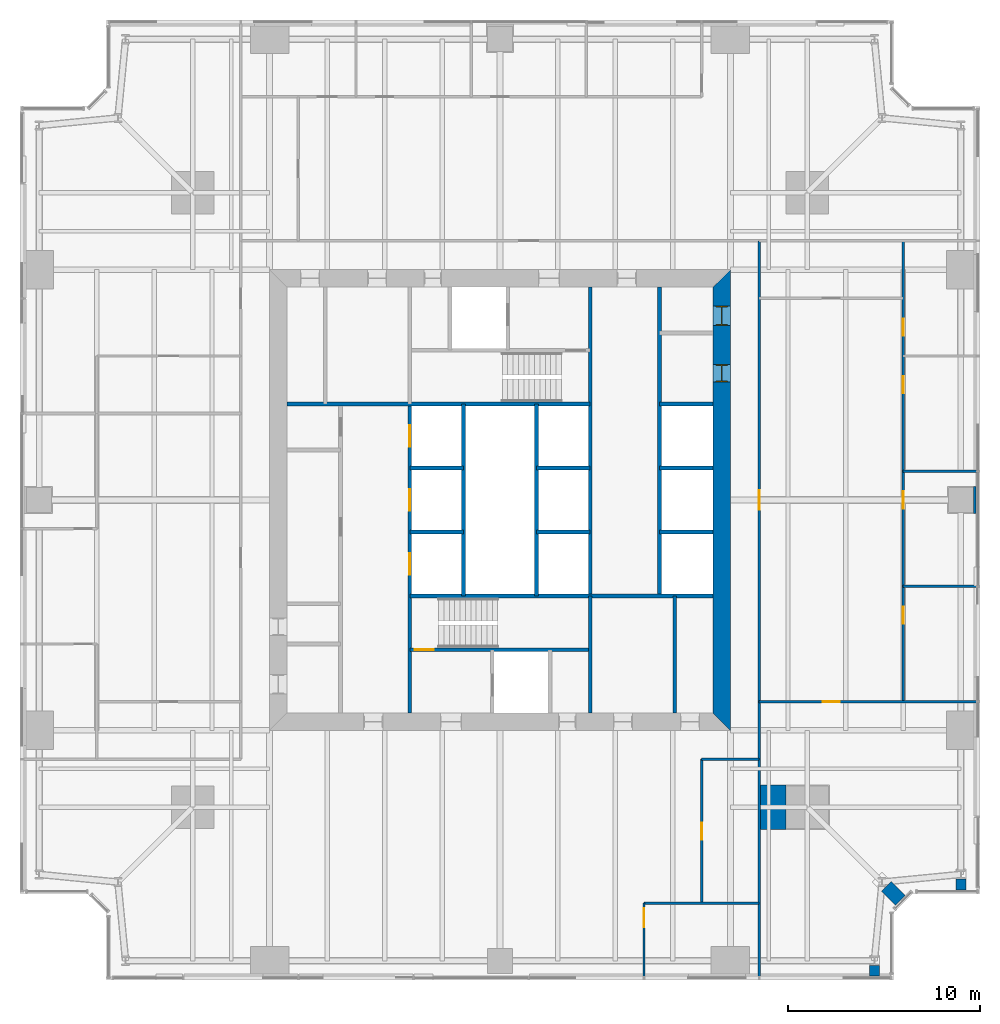
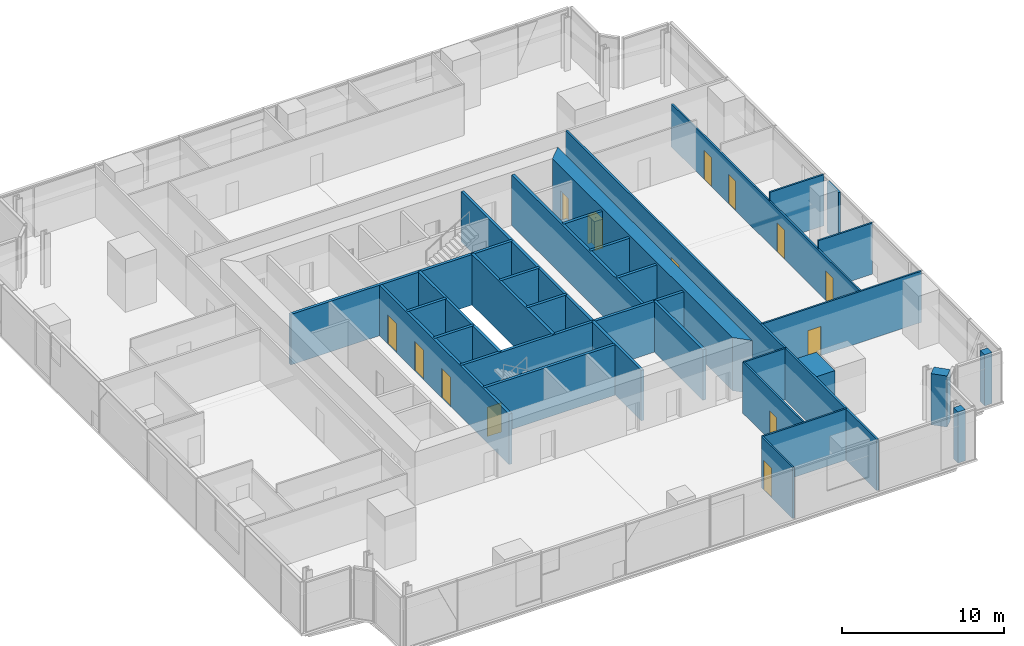
# One storey, part 10 of 14: 33 walls, 14 doors, 14 openings.
"""IFC4 building model written with IfcOpenShell, lengths in metres."""

from ifc_helpers import new_model, si_unit, direction, frame, frame_2d, origin, place, context, subcontext, project, spatial, polyline, rectangle, outline, extrude, material, layer, layer_set, type_object, element, fill, save


model = new_model("IFC4")

# Units and contexts
model_context = context("Model", 3, precision=1e-05, world=origin(), true_north=direction((0.0, 1.0)))
body_context = subcontext(model_context, "Body", "Model", "MODEL_VIEW")
ifc_project = project(units=[si_unit("LENGTHUNIT", "METRE"), si_unit("AREAUNIT", "SQUARE_METRE"), si_unit("VOLUMEUNIT", "CUBIC_METRE"), si_unit("PLANEANGLEUNIT", "RADIAN"), si_unit("MASSUNIT", "GRAM", prefix="KILO")], contexts=[model_context])

# Site, building, storey
site_placement = place(None, origin())
site = spatial("IfcSite", under=ifc_project, at=site_placement, CompositionType="ELEMENT")
building_placement = place(site_placement, origin())
building = spatial("IfcBuilding", under=site, at=building_placement, Name="Fenwick Lantern Interchange", CompositionType="ELEMENT")
storey_placement = place(building_placement, frame((0.0, 0.0, 134.39990234375)))
storey = spatial("IfcBuildingStorey", under=building, at=storey_placement, Name="L31", CompositionType="ELEMENT", Elevation=134.39990234375)

# Walls
ifc_material_1 = material(Name="Fire-rated gypsum board encasement on steel studs, 2 hour", Category="steel")
ifc_layer_1 = layer(ifc_material_1, 1.39990234375)
ifc_layer_set_1 = layer_set([ifc_layer_1], Name="COLUMN PIER 1400")
wall_type_1 = type_object("IfcWallType", Name="COLUMN PIER 1400", PredefinedType="PARTITIONING", material=ifc_layer_set_1)
wall_1_placement = place(storey_placement, frame((49.800048828125, 25.0, 0.0), z_axis=(0.0, 0.0, 1.0), x_axis=(-1.0, 0.0, 0.0)))
element("IfcWall", 1, at=wall_1_placement, inside=storey, type_object=wall_type_1, Name="L31/W/PIER/CE3", PredefinedType="PARTITIONING", context=body_context, shape_type="SweptSolid", body=[
    extrude(rectangle(XDim=0.150146484375, YDim=1.39990234375, at=frame_2d((0.0751953125, 0.0))), origin(), (0.0, 0.0, 1.0), 3.85009765625),
])
ifc_layer_2 = layer(ifc_material_1, 2.300048828125)
ifc_layer_set_2 = layer_set([ifc_layer_2], Name="COLUMN PIER 2300")
wall_type_2 = type_object("IfcWallType", Name="COLUMN PIER 2300", PredefinedType="PARTITIONING", material=ifc_layer_set_2)
wall_2_placement = place(storey_placement, frame((38.574951171875, 9.0, 0.0), z_axis=(0.0, 0.0, 1.0), x_axis=(1.0, 0.0, 0.0)))
element("IfcWall", 2, at=wall_2_placement, inside=storey, type_object=wall_type_2, Name="L31/W/PIER/M2", PredefinedType="PARTITIONING", context=body_context, shape_type="SweptSolid", body=[
    extrude(rectangle(XDim=1.324951171875, YDim=2.300048828125, at=frame_2d((0.66259765625, 0.0))), origin(), (0.0, 0.0, 1.0), 3.85009765625),
])
ifc_layer_3 = layer(ifc_material_1, 0.52392578125)
ifc_layer_set_3 = layer_set([ifc_layer_3], Name="COLUMN PIER 524")
wall_type_3 = type_object("IfcWallType", Name="COLUMN PIER 524", PredefinedType="PARTITIONING", material=ifc_layer_set_3)
for number, where, z_axis, x_axis, name in (
    (3, (44.5, 0.199951171875, 0.0), (0.0, 0.0, 1.0), (0.0, 1.0, 0.0), "L31/W/PIER/CS5"),
    (4, (49.0, 4.699951171875, 0.0), (0.0, 0.0, 1.0), (0.0, 1.0, 0.0), "L31/W/PIER/CE1"),
):
    element("IfcWall", number, at=place(storey_placement, frame(where, z_axis=z_axis, x_axis=x_axis)), inside=storey, type_object=wall_type_3, Name=name, PredefinedType="PARTITIONING", context=body_context, shape_type="SweptSolid", body=[
        extrude(rectangle(XDim=0.5625, YDim=0.52392578125, at=frame_2d((0.28125, 0.0))), origin(), (0.0, 0.0, 1.0), 3.85009765625),
    ])
ifc_layer_4 = layer(ifc_material_1, 0.736083984375)
ifc_layer_set_4 = layer_set([ifc_layer_4], Name="COLUMN PIER 736")
wall_type_4 = type_object("IfcWallType", Name="COLUMN PIER 736", PredefinedType="PARTITIONING", material=ifc_layer_set_4)
wall_3_placement = place(storey_placement, frame((45.858642578125, 4.141357421875, 0.0), z_axis=(0.0, 0.0, 1.0), x_axis=(-0.707106781187, 0.707106781187, 0.0)))
element("IfcWall", 5, at=wall_3_placement, inside=storey, type_object=wall_type_4, Name="L31/W/PIER/CSR", PredefinedType="PARTITIONING", context=body_context, shape_type="SweptSolid", body=[
    extrude(rectangle(XDim=1.037841796875, YDim=0.736083984375, at=frame_2d((0.51904296875, 0.0))), origin(), (0.0, 0.0, 1.0), 3.85009765625),
])
ifc_material_2 = material(Name="Concrete masonry ASTM C90 Grade N", Category="masonry")
ifc_layer_5 = layer(ifc_material_2, 0.199951171875)
ifc_layer_set_5 = layer_set([ifc_layer_5], Name="Concrete masonry ASTM C90 Grade N")
wall_type_5 = type_object("IfcWallType", Name="CORE PARTITION 200", PredefinedType="PARTITIONING", material=ifc_layer_set_5)
for number, where, z_axis, x_axis, name in (
    (6, (20.300048828125, 23.333251953125, 0.0), (0.0, 0.0, 1.0), (1.0, 0.0, 0.0), "L31/W/CORES/e1"),
    (7, (20.300048828125, 26.666748046875, 0.0), (0.0, 0.0, 1.0), (1.0, 0.0, 0.0), "L31/W/CORES/e2"),
):
    element("IfcWall", number, at=place(storey_placement, frame(where, z_axis=z_axis, x_axis=x_axis)), inside=storey, type_object=wall_type_5, Name=name, PredefinedType="PARTITIONING", context=body_context, shape_type="SweptSolid", body=[
        extrude(rectangle(XDim=2.800048828125, YDim=0.199951171875, at=frame_2d((1.39990234375, 0.0))), origin(), (0.0, 0.0, 1.0), 3.800048828125),
    ])
wall_4_placement = place(storey_placement, frame((23.10009765625, 20.0, 0.0), z_axis=(0.0, 0.0, 1.0), x_axis=(0.0, 1.0, 0.0)))
element("IfcWall", 8, at=wall_4_placement, inside=storey, type_object=wall_type_5, Name="L31/W/CORES/e3", PredefinedType="PARTITIONING", context=body_context, shape_type="SweptSolid", body=[
    extrude(rectangle(XDim=10.0, YDim=0.199951171875, at=frame_2d((5.0, 0.0))), origin(), (0.0, 0.0, 1.0), 3.800048828125),
])
wall_5_placement = place(storey_placement, frame((34.10009765625, 13.89990234375, 0.0), z_axis=(0.0, 0.0, 1.0), x_axis=(0.0, 1.0, 0.0)))
element("IfcWall", 9, at=wall_5_placement, inside=storey, type_object=wall_type_5, Name="L31/W/CORES/i2", PredefinedType="PARTITIONING", context=body_context, shape_type="SweptSolid", body=[
    extrude(rectangle(XDim=6.10009765625, YDim=0.199951171875, at=frame_2d((3.050048828125, 0.0))), origin(), (0.0, 0.0, 1.0), 3.800048828125),
])
wall_6_placement = place(storey_placement, frame((33.300048828125, 36.10009765625, 0.0), z_axis=(0.0, 0.0, 1.0), x_axis=(0.0, -1.0, 0.0)))
element("IfcWall", 10, at=wall_6_placement, inside=storey, type_object=wall_type_5, Name="L31/W/COREN/a", PredefinedType="PARTITIONING", context=body_context, shape_type="SweptSolid", body=[
    extrude(rectangle(XDim=16.10009765625, YDim=0.199951171875, at=frame_2d((8.050048828125, 0.0))), origin(), (0.0, 0.0, 1.0), 3.800048828125),
])
for number, where, z_axis, x_axis, name in (
    (11, (36.10009765625, 30.0, 0.0), (0.0, 0.0, 1.0), (-1.0, 0.0, 0.0), "L31/W/COREN/c2"),
    (12, (36.10009765625, 26.666748046875, 0.0), (0.0, 0.0, 1.0), (-1.0, 0.0, 0.0), "L31/W/COREN/d1"),
    (13, (36.10009765625, 23.333251953125, 0.0), (0.0, 0.0, 1.0), (-1.0, 0.0, 0.0), "L31/W/COREN/d2"),
    (14, (29.699951171875, 26.666748046875, 0.0), (0.0, 0.0, 1.0), (-1.0, 0.0, 0.0), "L31/W/COREN/e1"),
    (15, (29.699951171875, 23.333251953125, 0.0), (0.0, 0.0, 1.0), (-1.0, 0.0, 0.0), "L31/W/COREN/e2"),
):
    element("IfcWall", number, at=place(storey_placement, frame(where, z_axis=z_axis, x_axis=x_axis)), inside=storey, type_object=wall_type_5, Name=name, PredefinedType="PARTITIONING", context=body_context, shape_type="SweptSolid", body=[
        extrude(rectangle(XDim=2.800048828125, YDim=0.199951171875, at=frame_2d((1.39990234375, 0.0))), origin(), (0.0, 0.0, 1.0), 3.800048828125),
    ])
wall_7_placement = place(storey_placement, frame((26.89990234375, 30.0, 0.0), z_axis=(0.0, 0.0, 1.0), x_axis=(0.0, -1.0, 0.0)))
element("IfcWall", 16, at=wall_7_placement, inside=storey, type_object=wall_type_5, Name="L31/W/COREN/e3", PredefinedType="PARTITIONING", context=body_context, shape_type="SweptSolid", body=[
    extrude(rectangle(XDim=10.0, YDim=0.199951171875, at=frame_2d((5.0, 0.0))), origin(), (0.0, 0.0, 1.0), 3.800048828125),
])

# Wall, openings, doors
ifc_material_3 = material(Name="Concrete f'c 70 MPa", Category="concrete")
ifc_layer_6 = layer(ifc_material_3, 0.89990234375)
ifc_layer_set_6 = layer_set([ifc_layer_6], Name="CORE WALL 900")
wall_type_6 = type_object("IfcWallType", Name="CORE WALL 900", PredefinedType="SHEAR", material=ifc_layer_set_6)
wall_8_placement = place(storey_placement, frame((36.550048828125, 13.89990234375, 0.0), z_axis=(0.0, 0.0, 1.0), x_axis=(0.0, 1.0, 0.0)))
wall_8 = element("IfcWall", 17, at=wall_8_placement, inside=storey, type_object=wall_type_6, Name="L31/CORE/E", PredefinedType="SHEAR", context=body_context, shape_type="SweptSolid", body=[
    extrude(outline(polyline([(-0.89990234375, -0.449951171875), (23.10009765625, -0.449951171875), (22.199951171875, 0.449951171875), (0.0, 0.449951171875), (-0.89990234375, -0.449951171875)])), origin(), (0.0, 0.0, 1.0), 4.0),
])
opening_1_placement = place(wall_8_placement, frame((20.199951171875, 0.0, 0.0)))
opening_1 = element("IfcOpeningElement", 18, at=opening_1_placement, cuts=wall_8, Name="Opening L31-D017", PredefinedType="OPENING", context=body_context, shape_type="SweptSolid", body=[
    extrude(rectangle(XDim=1.0, YDim=2.199951171875, at=frame_2d((0.5, 1.10009765625))), frame((0.0, 0.4599609375, 0.0), z_axis=(0.0, -1.0, 0.0), x_axis=(1.0, 0.0, 0.0)), (0.0, 0.0, 1.0), 0.919921875),
])
opening_2_placement = place(wall_8_placement, frame((17.25, 0.0, 0.0)))
opening_2 = element("IfcOpeningElement", 19, at=opening_2_placement, cuts=wall_8, Name="Opening L31-D018", PredefinedType="OPENING", context=body_context, shape_type="SweptSolid", body=[
    extrude(rectangle(XDim=0.89990234375, YDim=2.199951171875, at=frame_2d((0.449951171875, 1.10009765625))), frame((0.0, 0.4599609375, 0.0), z_axis=(0.0, -1.0, 0.0), x_axis=(1.0, 0.0, 0.0)), (0.0, 0.0, 1.0), 0.919921875),
])
ifc_material_4 = material(Name="Steel door and frame", Category="steel")
door_type_1 = type_object("IfcDoorType", Name="SERVICE DOOR 1000 X 2200", OperationType="SINGLE_SWING_LEFT", PredefinedType="DOOR", material=ifc_material_4)
door_1_placement = place(opening_1_placement, origin())
door_1 = element("IfcDoor", 20, at=door_1_placement, inside=storey, type_object=door_type_1, Name="Service door", OperationType="SINGLE_SWING_LEFT", OverallHeight=2.199951171875, OverallWidth=1.0, PredefinedType="DOOR", context=body_context, shape_type="SweptSolid", body=[
    extrude(rectangle(XDim=1.0, YDim=2.199951171875, at=frame_2d((0.5, 1.10009765625))), frame((0.0, 0.02490234375, 0.0), z_axis=(0.0, -1.0, 0.0), x_axis=(1.0, 0.0, 0.0)), (0.0, 0.0, 1.0), 0.050048828125),
    extrude(outline(polyline([(0.0, 0.0), (0.0400390625, 0.0), (0.0400390625, 2.159912109375), (0.9599609375, 2.159912109375), (0.9599609375, 0.0), (1.0, 0.0), (1.0, 2.199951171875), (0.0, 2.199951171875), (0.0, 0.0)])), frame((0.0, 0.300048828125, 0.0), z_axis=(0.0, -1.0, 0.0), x_axis=(1.0, 0.0, 0.0)), (0.0, 0.0, 1.0), 0.60009765625),
])
fill(opening_1, door_1)
door_type_2 = type_object("IfcDoorType", Name="SERVICE DOOR 900 X 2200", OperationType="SINGLE_SWING_LEFT", PredefinedType="DOOR", material=ifc_material_4)
door_2_placement = place(opening_2_placement, origin())
door_2 = element("IfcDoor", 21, at=door_2_placement, inside=storey, type_object=door_type_2, Name="Service door", OperationType="SINGLE_SWING_LEFT", OverallHeight=2.199951171875, OverallWidth=0.89990234375, PredefinedType="DOOR", context=body_context, shape_type="SweptSolid", body=[
    extrude(rectangle(XDim=0.89990234375, YDim=2.199951171875, at=frame_2d((0.449951171875, 1.10009765625))), frame((0.0, 0.02490234375, 0.0), z_axis=(0.0, -1.0, 0.0), x_axis=(1.0, 0.0, 0.0)), (0.0, 0.0, 1.0), 0.050048828125),
    extrude(outline(polyline([(0.0, 0.0), (0.0400390625, 0.0), (0.0400390625, 2.159912109375), (0.85986328125, 2.159912109375), (0.85986328125, 0.0), (0.89990234375, 0.0), (0.89990234375, 2.199951171875), (0.0, 2.199951171875), (0.0, 0.0)])), frame((0.0, 0.300048828125, 0.0), z_axis=(0.0, -1.0, 0.0), x_axis=(1.0, 0.0, 0.0)), (0.0, 0.0, 1.0), 0.60009765625),
])
fill(opening_2, door_2)

# Wall, opening, door
ifc_material_5 = material(Name="Gypsum board on steel studs, 1 hour", Category="steel")
ifc_layer_7 = layer(ifc_material_5, 0.14990234375)
ifc_layer_set_7 = layer_set([ifc_layer_7], Name="CORRIDOR WALL 150")
wall_type_7 = type_object("IfcWallType", Name="CORRIDOR WALL 150", PredefinedType="PARTITIONING", material=ifc_layer_set_7)
wall_9_placement = place(storey_placement, frame((38.5, 11.5, 0.0), z_axis=(0.0, 0.0, 1.0), x_axis=(0.0, 1.0, 0.0)))
wall_9 = element("IfcWall", 22, at=wall_9_placement, inside=storey, type_object=wall_type_7, Name="L31/W/OFF/E/CW", PredefinedType="PARTITIONING", context=body_context, shape_type="SweptSolid", body=[
    extrude(rectangle(XDim=27.0, YDim=0.14990234375, at=frame_2d((13.5, 0.0))), origin(), (0.0, 0.0, 1.0), 3.85009765625),
])
opening_3_placement = place(wall_9_placement, frame((13.0, 0.0, 0.0)))
opening_3 = element("IfcOpeningElement", 23, at=opening_3_placement, cuts=wall_9, Name="Opening L31-D021", PredefinedType="OPENING", context=body_context, shape_type="SweptSolid", body=[
    extrude(rectangle(XDim=1.0, YDim=2.199951171875, at=frame_2d((0.5, 1.10009765625))), frame((0.0, 0.0849609375, 0.0), z_axis=(0.0, -1.0, 0.0), x_axis=(1.0, 0.0, 0.0)), (0.0, 0.0, 1.0), 0.169921875),
])
door_type_3 = type_object("IfcDoorType", Name="SUITE ENTRANCE DOOR 1000 X 2200", OperationType="SINGLE_SWING_LEFT", PredefinedType="DOOR", material=ifc_material_4)
door_3_placement = place(opening_3_placement, frame((1.0, 0.0, 0.0), z_axis=(0.0, 0.0, 1.0), x_axis=(-1.0, 0.0, 0.0)))
door_3 = element("IfcDoor", 24, at=door_3_placement, inside=storey, type_object=door_type_3, Name="Suite entrance door", OperationType="SINGLE_SWING_RIGHT", OverallHeight=2.199951171875, OverallWidth=1.0, PredefinedType="DOOR", context=body_context, shape_type="SweptSolid", body=[
    extrude(rectangle(XDim=1.0, YDim=2.199951171875, at=frame_2d((0.5, 1.10009765625))), frame((0.0, 0.02490234375, 0.0), z_axis=(0.0, -1.0, 0.0), x_axis=(1.0, 0.0, 0.0)), (0.0, 0.0, 1.0), 0.050048828125),
])
fill(opening_3, door_3)

ifc_material_6 = material(Name="Gypsum board on steel studs, acoustic", Category="steel")
ifc_layer_8 = layer(ifc_material_6, 0.125)
ifc_layer_set_8 = layer_set([ifc_layer_8], Name="OFFICE PARTITION 125")
wall_type_8 = type_object("IfcWallType", Name="OFFICE PARTITION 125", PredefinedType="PARTITIONING", material=ifc_layer_set_8)
wall_10_placement = place(storey_placement, frame((32.5, 0.14990234375, 0.0), z_axis=(0.0, 0.0, 1.0), x_axis=(0.0, 1.0, 0.0)))
wall_10 = element("IfcWall", 25, at=wall_10_placement, inside=storey, type_object=wall_type_8, Name="L31/W/OFF/S/X325-1", PredefinedType="PARTITIONING", context=body_context, shape_type="SweptSolid", body=[
    extrude(rectangle(XDim=3.85009765625, YDim=0.125, at=frame_2d((1.925048828125, 0.0))), origin(), (0.0, 0.0, 1.0), 3.85009765625),
])
opening_4_placement = place(wall_10_placement, frame((2.60009765625, 0.0, 0.0)))
opening_4 = element("IfcOpeningElement", 26, at=opening_4_placement, cuts=wall_10, Name="Opening L31-D019", PredefinedType="OPENING", context=body_context, shape_type="SweptSolid", body=[
    extrude(rectangle(XDim=1.0, YDim=2.199951171875, at=frame_2d((0.5, 1.10009765625))), frame((0.0, 0.072509765625, 0.0), z_axis=(0.0, -1.0, 0.0), x_axis=(1.0, 0.0, 0.0)), (0.0, 0.0, 1.0), 0.14501953125),
])
ifc_material_7 = material(Name="Hardwood door and steel frame", Category="steel")
door_type_4 = type_object("IfcDoorType", Name="MEETING ROOM DOOR 1000 X 2200", OperationType="SINGLE_SWING_LEFT", PredefinedType="DOOR", material=ifc_material_7)
door_4_placement = place(opening_4_placement, frame((1.0, 0.0, 0.0), z_axis=(0.0, 0.0, 1.0), x_axis=(-1.0, 0.0, 0.0)))
door_4 = element("IfcDoor", 27, at=door_4_placement, inside=storey, type_object=door_type_4, Name="Meeting room door", OperationType="SINGLE_SWING_LEFT", OverallHeight=2.199951171875, OverallWidth=1.0, PredefinedType="DOOR", context=body_context, shape_type="SweptSolid", body=[
    extrude(rectangle(XDim=1.0, YDim=2.199951171875, at=frame_2d((0.5, 1.10009765625))), frame((0.0, 0.02490234375, 0.0), z_axis=(0.0, -1.0, 0.0), x_axis=(1.0, 0.0, 0.0)), (0.0, 0.0, 1.0), 0.050048828125),
])
fill(opening_4, door_4)

wall_11_placement = place(storey_placement, frame((35.5, 4.0, 0.0), z_axis=(0.0, 0.0, 1.0), x_axis=(0.0, 1.0, 0.0)))
wall_11 = element("IfcWall", 28, at=wall_11_placement, inside=storey, type_object=wall_type_8, Name="L31/W/OFF/S/X355-1", PredefinedType="PARTITIONING", context=body_context, shape_type="SweptSolid", body=[
    extrude(rectangle(XDim=7.5, YDim=0.125, at=frame_2d((3.75, 0.0))), origin(), (0.0, 0.0, 1.0), 3.85009765625),
])
opening_5_placement = place(wall_11_placement, frame((3.300048828125, 0.0, 0.0)))
opening_5 = element("IfcOpeningElement", 29, at=opening_5_placement, cuts=wall_11, Name="Opening L31-D020", PredefinedType="OPENING", context=body_context, shape_type="SweptSolid", body=[
    extrude(rectangle(XDim=0.89990234375, YDim=2.199951171875, at=frame_2d((0.449951171875, 1.10009765625))), frame((0.0, 0.072509765625, 0.0), z_axis=(0.0, -1.0, 0.0), x_axis=(1.0, 0.0, 0.0)), (0.0, 0.0, 1.0), 0.14501953125),
])
door_type_5 = type_object("IfcDoorType", Name="OFFICE DOOR 900 X 2200", OperationType="SINGLE_SWING_LEFT", PredefinedType="DOOR", material=ifc_material_7)
door_5_placement = place(opening_5_placement, frame((0.89990234375, 0.0, 0.0), z_axis=(0.0, 0.0, 1.0), x_axis=(-1.0, 0.0, 0.0)))
door_5 = element("IfcDoor", 30, at=door_5_placement, inside=storey, type_object=door_type_5, Name="Office door", OperationType="SINGLE_SWING_RIGHT", OverallHeight=2.199951171875, OverallWidth=0.89990234375, PredefinedType="DOOR", context=body_context, shape_type="SweptSolid", body=[
    extrude(rectangle(XDim=0.89990234375, YDim=2.199951171875, at=frame_2d((0.449951171875, 1.10009765625))), frame((0.0, 0.02490234375, 0.0), z_axis=(0.0, -1.0, 0.0), x_axis=(1.0, 0.0, 0.0)), (0.0, 0.0, 1.0), 0.050048828125),
])
fill(opening_5, door_5)

# Walls
wall_12_placement = place(storey_placement, frame((32.5, 4.0, 0.0), z_axis=(0.0, 0.0, 1.0), x_axis=(1.0, 0.0, 0.0)))
element("IfcWall", 31, at=wall_12_placement, inside=storey, type_object=wall_type_8, Name="L31/W/OFF/S/Y40-1", PredefinedType="PARTITIONING", context=body_context, shape_type="SweptSolid", body=[
    extrude(rectangle(XDim=6.0, YDim=0.125, at=frame_2d((3.0, 0.0))), origin(), (0.0, 0.0, 1.0), 3.85009765625),
])
wall_13_placement = place(storey_placement, frame((35.5, 11.5, 0.0), z_axis=(0.0, 0.0, 1.0), x_axis=(1.0, 0.0, 0.0)))
element("IfcWall", 32, at=wall_13_placement, inside=storey, type_object=wall_type_8, Name="L31/W/OFF/S/CWS1", PredefinedType="PARTITIONING", context=body_context, shape_type="SweptSolid", body=[
    extrude(rectangle(XDim=3.0, YDim=0.125, at=frame_2d((1.5, 0.0))), origin(), (0.0, 0.0, 1.0), 3.85009765625),
])

# Wall, opening, door
wall_14_placement = place(storey_placement, frame((49.85009765625, 14.5, 0.0), z_axis=(0.0, 0.0, 1.0), x_axis=(-1.0, 0.0, 0.0)))
wall_14 = element("IfcWall", 33, at=wall_14_placement, inside=storey, type_object=wall_type_8, Name="L31/W/OFF/E/X145-1", PredefinedType="PARTITIONING", context=body_context, shape_type="SweptSolid", body=[
    extrude(rectangle(XDim=11.35009765625, YDim=0.125, at=frame_2d((5.675048828125, 0.0))), origin(), (0.0, 0.0, 1.0), 3.85009765625),
])
opening_6_placement = place(wall_14_placement, frame((7.14990234375, 0.0, 0.0)))
opening_6 = element("IfcOpeningElement", 34, at=opening_6_placement, cuts=wall_14, Name="Opening L31-D022", PredefinedType="OPENING", context=body_context, shape_type="SweptSolid", body=[
    extrude(rectangle(XDim=0.89990234375, YDim=2.199951171875, at=frame_2d((0.449951171875, 1.10009765625))), frame((0.0, 0.072509765625, 0.0), z_axis=(0.0, -1.0, 0.0), x_axis=(1.0, 0.0, 0.0)), (0.0, 0.0, 1.0), 0.14501953125),
])
door_6_placement = place(opening_6_placement, origin())
door_6 = element("IfcDoor", 35, at=door_6_placement, inside=storey, type_object=door_type_5, Name="Office door", OperationType="SINGLE_SWING_RIGHT", OverallHeight=2.199951171875, OverallWidth=0.89990234375, PredefinedType="DOOR", context=body_context, shape_type="SweptSolid", body=[
    extrude(rectangle(XDim=0.89990234375, YDim=2.199951171875, at=frame_2d((0.449951171875, 1.10009765625))), frame((0.0, 0.02490234375, 0.0), z_axis=(0.0, -1.0, 0.0), x_axis=(1.0, 0.0, 0.0)), (0.0, 0.0, 1.0), 0.050048828125),
])
fill(opening_6, door_6)

# Walls
for number, where, z_axis, x_axis, name in (
    (36, (49.85009765625, 20.5, 0.0), (0.0, 0.0, 1.0), (-1.0, 0.0, 0.0), "L31/W/OFF/E/X205-1"),
    (37, (49.85009765625, 26.5, 0.0), (0.0, 0.0, 1.0), (-1.0, 0.0, 0.0), "L31/W/OFF/E/X265-1"),
):
    element("IfcWall", number, at=place(storey_placement, frame(where, z_axis=z_axis, x_axis=x_axis)), inside=storey, type_object=wall_type_8, Name=name, PredefinedType="PARTITIONING", context=body_context, shape_type="SweptSolid", body=[
        extrude(rectangle(XDim=3.85009765625, YDim=0.125, at=frame_2d((1.925048828125, 0.0))), origin(), (0.0, 0.0, 1.0), 3.85009765625),
    ])

# Wall, openings, doors
wall_15_placement = place(storey_placement, frame((46.0, 14.5, 0.0), z_axis=(0.0, 0.0, 1.0), x_axis=(0.0, 1.0, 0.0)))
wall_15 = element("IfcWall", 38, at=wall_15_placement, inside=storey, type_object=wall_type_8, Name="L31/W/OFF/E/Y40-1", PredefinedType="PARTITIONING", context=body_context, shape_type="SweptSolid", body=[
    extrude(rectangle(XDim=24.0, YDim=0.125, at=frame_2d((12.0, 0.0))), origin(), (0.0, 0.0, 1.0), 3.238037109375),
])
opening_7_placement = place(wall_15_placement, frame((4.050048828125, 0.0, 0.0)))
opening_7 = element("IfcOpeningElement", 39, at=opening_7_placement, cuts=wall_15, Name="Opening L31-D023", PredefinedType="OPENING", context=body_context, shape_type="SweptSolid", body=[
    extrude(rectangle(XDim=0.89990234375, YDim=2.199951171875, at=frame_2d((0.449951171875, 1.10009765625))), frame((0.0, 0.072509765625, 0.0), z_axis=(0.0, -1.0, 0.0), x_axis=(1.0, 0.0, 0.0)), (0.0, 0.0, 1.0), 0.14501953125),
])
opening_8_placement = place(wall_15_placement, frame((10.050048828125, 0.0, 0.0)))
opening_8 = element("IfcOpeningElement", 40, at=opening_8_placement, cuts=wall_15, Name="Opening L31-D024", PredefinedType="OPENING", context=body_context, shape_type="SweptSolid", body=[
    extrude(rectangle(XDim=0.89990234375, YDim=2.199951171875, at=frame_2d((0.449951171875, 1.10009765625))), frame((0.0, 0.072509765625, 0.0), z_axis=(0.0, -1.0, 0.0), x_axis=(1.0, 0.0, 0.0)), (0.0, 0.0, 1.0), 0.14501953125),
])
opening_9_placement = place(wall_15_placement, frame((16.050048828125, 0.0, 0.0)))
opening_9 = element("IfcOpeningElement", 41, at=opening_9_placement, cuts=wall_15, Name="Opening L31-D025", PredefinedType="OPENING", context=body_context, shape_type="SweptSolid", body=[
    extrude(rectangle(XDim=0.89990234375, YDim=2.199951171875, at=frame_2d((0.449951171875, 1.10009765625))), frame((0.0, 0.072509765625, 0.0), z_axis=(0.0, -1.0, 0.0), x_axis=(1.0, 0.0, 0.0)), (0.0, 0.0, 1.0), 0.14501953125),
])
opening_10_placement = place(wall_15_placement, frame((19.050048828125, 0.0, 0.0)))
opening_10 = element("IfcOpeningElement", 42, at=opening_10_placement, cuts=wall_15, Name="Opening L31-D026", PredefinedType="OPENING", context=body_context, shape_type="SweptSolid", body=[
    extrude(rectangle(XDim=0.89990234375, YDim=2.199951171875, at=frame_2d((0.449951171875, 1.10009765625))), frame((0.0, 0.072509765625, 0.0), z_axis=(0.0, -1.0, 0.0), x_axis=(1.0, 0.0, 0.0)), (0.0, 0.0, 1.0), 0.14501953125),
])
door_7_placement = place(opening_7_placement, frame((0.89990234375, 0.0, 0.0), z_axis=(0.0, 0.0, 1.0), x_axis=(-1.0, 0.0, 0.0)))
door_7 = element("IfcDoor", 43, at=door_7_placement, inside=storey, type_object=door_type_5, Name="Office door", OperationType="SINGLE_SWING_LEFT", OverallHeight=2.199951171875, OverallWidth=0.89990234375, PredefinedType="DOOR", context=body_context, shape_type="SweptSolid", body=[
    extrude(rectangle(XDim=0.89990234375, YDim=2.199951171875, at=frame_2d((0.449951171875, 1.10009765625))), frame((0.0, 0.02490234375, 0.0), z_axis=(0.0, -1.0, 0.0), x_axis=(1.0, 0.0, 0.0)), (0.0, 0.0, 1.0), 0.050048828125),
])
fill(opening_7, door_7)
door_8_placement = place(opening_8_placement, frame((0.89990234375, 0.0, 0.0), z_axis=(0.0, 0.0, 1.0), x_axis=(-1.0, 0.0, 0.0)))
door_8 = element("IfcDoor", 44, at=door_8_placement, inside=storey, type_object=door_type_5, Name="Office door", OperationType="SINGLE_SWING_LEFT", OverallHeight=2.199951171875, OverallWidth=0.89990234375, PredefinedType="DOOR", context=body_context, shape_type="SweptSolid", body=[
    extrude(rectangle(XDim=0.89990234375, YDim=2.199951171875, at=frame_2d((0.449951171875, 1.10009765625))), frame((0.0, 0.02490234375, 0.0), z_axis=(0.0, -1.0, 0.0), x_axis=(1.0, 0.0, 0.0)), (0.0, 0.0, 1.0), 0.050048828125),
])
fill(opening_8, door_8)
door_9_placement = place(opening_9_placement, frame((0.89990234375, 0.0, 0.0), z_axis=(0.0, 0.0, 1.0), x_axis=(-1.0, 0.0, 0.0)))
door_9 = element("IfcDoor", 45, at=door_9_placement, inside=storey, type_object=door_type_5, Name="Office door", OperationType="SINGLE_SWING_LEFT", OverallHeight=2.199951171875, OverallWidth=0.89990234375, PredefinedType="DOOR", context=body_context, shape_type="SweptSolid", body=[
    extrude(rectangle(XDim=0.89990234375, YDim=2.199951171875, at=frame_2d((0.449951171875, 1.10009765625))), frame((0.0, 0.02490234375, 0.0), z_axis=(0.0, -1.0, 0.0), x_axis=(1.0, 0.0, 0.0)), (0.0, 0.0, 1.0), 0.050048828125),
])
fill(opening_9, door_9)
door_10_placement = place(opening_10_placement, frame((0.89990234375, 0.0, 0.0), z_axis=(0.0, 0.0, 1.0), x_axis=(-1.0, 0.0, 0.0)))
door_10 = element("IfcDoor", 46, at=door_10_placement, inside=storey, type_object=door_type_5, Name="Office door", OperationType="SINGLE_SWING_RIGHT", OverallHeight=2.199951171875, OverallWidth=0.89990234375, PredefinedType="DOOR", context=body_context, shape_type="SweptSolid", body=[
    extrude(rectangle(XDim=0.89990234375, YDim=2.199951171875, at=frame_2d((0.449951171875, 1.10009765625))), frame((0.0, 0.02490234375, 0.0), z_axis=(0.0, -1.0, 0.0), x_axis=(1.0, 0.0, 0.0)), (0.0, 0.0, 1.0), 0.050048828125),
])
fill(opening_10, door_10)

ifc_material_8 = material(Name="Concrete f'c 45 MPa", Category="concrete")
ifc_layer_9 = layer(ifc_material_8, 0.199951171875)
ifc_layer_set_9 = layer_set([ifc_layer_9], Name="STAIR CORE WALL 200")
wall_type_9 = type_object("IfcWallType", Name="STAIR CORE WALL 200", PredefinedType="SOLIDWALL", material=ifc_layer_set_9)
wall_16_placement = place(storey_placement, frame((20.300048828125, 13.89990234375, 0.0), z_axis=(0.0, 0.0, 1.0), x_axis=(0.0, 1.0, 0.0)))
wall_16 = element("IfcWall", 47, at=wall_16_placement, inside=storey, type_object=wall_type_9, Name="L31/W/CORES/b", PredefinedType="SOLIDWALL", context=body_context, shape_type="SweptSolid", body=[
    extrude(rectangle(XDim=16.10009765625, YDim=0.199951171875, at=frame_2d((8.050048828125, 0.0))), origin(), (0.0, 0.0, 1.0), 3.800048828125),
])
opening_11_placement = place(wall_16_placement, frame((7.216552734375, 0.0, 0.0)))
opening_11 = element("IfcOpeningElement", 48, at=opening_11_placement, cuts=wall_16, Name="Opening LD-W2-1", PredefinedType="OPENING", context=body_context, shape_type="SweptSolid", body=[
    extrude(rectangle(XDim=1.10009765625, YDim=2.199951171875, at=frame_2d((0.550048828125, 1.10009765625))), frame((0.0, 0.10986328125, 0.0), z_axis=(0.0, -1.0, 0.0), x_axis=(1.0, 0.0, 0.0)), (0.0, 0.0, 1.0), 0.219970703125),
])
opening_12_placement = place(wall_16_placement, frame((10.550048828125, 0.0, 0.0)))
opening_12 = element("IfcOpeningElement", 49, at=opening_12_placement, cuts=wall_16, Name="Opening LD-W2-2", PredefinedType="OPENING", context=body_context, shape_type="SweptSolid", body=[
    extrude(rectangle(XDim=1.10009765625, YDim=2.199951171875, at=frame_2d((0.550048828125, 1.10009765625))), frame((0.0, 0.10986328125, 0.0), z_axis=(0.0, -1.0, 0.0), x_axis=(1.0, 0.0, 0.0)), (0.0, 0.0, 1.0), 0.219970703125),
])
opening_13_placement = place(wall_16_placement, frame((13.88330078125, 0.0, 0.0)))
opening_13 = element("IfcOpeningElement", 50, at=opening_13_placement, cuts=wall_16, Name="Opening LD-W2-3", PredefinedType="OPENING", context=body_context, shape_type="SweptSolid", body=[
    extrude(rectangle(XDim=1.10009765625, YDim=2.199951171875, at=frame_2d((0.550048828125, 1.10009765625))), frame((0.0, 0.10986328125, 0.0), z_axis=(0.0, -1.0, 0.0), x_axis=(1.0, 0.0, 0.0)), (0.0, 0.0, 1.0), 0.219970703125),
])
door_type_6 = type_object("IfcDoorType", Name="LIFT LANDING DOOR 1100 X 2200", OperationType="DOUBLE_DOOR_SLIDING", PredefinedType="DOOR", material=ifc_material_4)
door_11_placement = place(opening_11_placement, origin())
door_11 = element("IfcDoor", 51, at=door_11_placement, inside=storey, type_object=door_type_6, Name="Lift landing door W2-1", OperationType="DOUBLE_DOOR_SLIDING", OverallHeight=2.199951171875, OverallWidth=1.10009765625, PredefinedType="DOOR", context=body_context, shape_type="SweptSolid", body=[
    extrude(rectangle(XDim=1.10009765625, YDim=2.199951171875, at=frame_2d((0.550048828125, 1.10009765625))), frame((0.0, 0.02490234375, 0.0), z_axis=(0.0, -1.0, 0.0), x_axis=(1.0, 0.0, 0.0)), (0.0, 0.0, 1.0), 0.050048828125),
])
fill(opening_11, door_11)
door_12_placement = place(opening_12_placement, origin())
door_12 = element("IfcDoor", 52, at=door_12_placement, inside=storey, type_object=door_type_6, Name="Lift landing door W2-2", OperationType="DOUBLE_DOOR_SLIDING", OverallHeight=2.199951171875, OverallWidth=1.10009765625, PredefinedType="DOOR", context=body_context, shape_type="SweptSolid", body=[
    extrude(rectangle(XDim=1.10009765625, YDim=2.199951171875, at=frame_2d((0.550048828125, 1.10009765625))), frame((0.0, 0.02490234375, 0.0), z_axis=(0.0, -1.0, 0.0), x_axis=(1.0, 0.0, 0.0)), (0.0, 0.0, 1.0), 0.050048828125),
])
fill(opening_12, door_12)
door_13_placement = place(opening_13_placement, origin())
door_13 = element("IfcDoor", 53, at=door_13_placement, inside=storey, type_object=door_type_6, Name="Lift landing door W2-3", OperationType="DOUBLE_DOOR_SLIDING", OverallHeight=2.199951171875, OverallWidth=1.10009765625, PredefinedType="DOOR", context=body_context, shape_type="SweptSolid", body=[
    extrude(rectangle(XDim=1.10009765625, YDim=2.199951171875, at=frame_2d((0.550048828125, 1.10009765625))), frame((0.0, 0.02490234375, 0.0), z_axis=(0.0, -1.0, 0.0), x_axis=(1.0, 0.0, 0.0)), (0.0, 0.0, 1.0), 0.050048828125),
])
fill(opening_13, door_13)

# Wall, opening, door
wall_17_placement = place(storey_placement, frame((20.300048828125, 17.199951171875, 0.0), z_axis=(0.0, 0.0, 1.0), x_axis=(1.0, 0.0, 0.0)))
wall_17 = element("IfcWall", 54, at=wall_17_placement, inside=storey, type_object=wall_type_9, Name="L31/W/CORES/g1", PredefinedType="SOLIDWALL", context=body_context, shape_type="SweptSolid", body=[
    extrude(rectangle(XDim=9.39990234375, YDim=0.199951171875, at=frame_2d((4.699951171875, 0.0))), origin(), (0.0, 0.0, 1.0), 3.800048828125),
])
opening_14_placement = place(wall_17_placement, frame((0.25, 0.0, 0.0)))
opening_14 = element("IfcOpeningElement", 55, at=opening_14_placement, cuts=wall_17, Name="Opening L31-D003", PredefinedType="OPENING", context=body_context, shape_type="SweptSolid", body=[
    extrude(rectangle(XDim=1.0, YDim=2.199951171875, at=frame_2d((0.5, 1.10009765625))), frame((0.0, 0.10986328125, 0.0), z_axis=(0.0, -1.0, 0.0), x_axis=(1.0, 0.0, 0.0)), (0.0, 0.0, 1.0), 0.219970703125),
])
door_type_7 = type_object("IfcDoorType", Name="STAIR DOOR 1000 X 2200", OperationType="SINGLE_SWING_LEFT", PredefinedType="DOOR", material=ifc_material_4)
door_14_placement = place(opening_14_placement, origin())
door_14 = element("IfcDoor", 56, at=door_14_placement, inside=storey, type_object=door_type_7, Name="Stair door", OperationType="SINGLE_SWING_LEFT", OverallHeight=2.199951171875, OverallWidth=1.0, PredefinedType="DOOR", context=body_context, shape_type="SweptSolid", body=[
    extrude(rectangle(XDim=1.0, YDim=2.199951171875, at=frame_2d((0.5, 1.10009765625))), frame((0.0, 0.02490234375, 0.0), z_axis=(0.0, -1.0, 0.0), x_axis=(1.0, 0.0, 0.0)), (0.0, 0.0, 1.0), 0.050048828125),
])
fill(opening_14, door_14)

# Walls
wall_18_placement = place(storey_placement, frame((20.300048828125, 20.0, 0.0), z_axis=(0.0, 0.0, 1.0), x_axis=(1.0, 0.0, 0.0)))
element("IfcWall", 57, at=wall_18_placement, inside=storey, type_object=wall_type_9, Name="L31/W/CORES/g2", PredefinedType="SOLIDWALL", context=body_context, shape_type="SweptSolid", body=[
    extrude(rectangle(XDim=15.800048828125, YDim=0.199951171875, at=frame_2d((7.89990234375, 0.0))), origin(), (0.0, 0.0, 1.0), 3.800048828125),
])
wall_19_placement = place(storey_placement, frame((29.699951171875, 13.89990234375, 0.0), z_axis=(0.0, 0.0, 1.0), x_axis=(0.0, 1.0, 0.0)))
element("IfcWall", 58, at=wall_19_placement, inside=storey, type_object=wall_type_9, Name="L31/W/CORES/i1", PredefinedType="SOLIDWALL", context=body_context, shape_type="SweptSolid", body=[
    extrude(rectangle(XDim=6.10009765625, YDim=0.199951171875, at=frame_2d((3.050048828125, 0.0))), origin(), (0.0, 0.0, 1.0), 3.800048828125),
])
wall_20_placement = place(storey_placement, frame((29.699951171875, 36.10009765625, 0.0), z_axis=(0.0, 0.0, 1.0), x_axis=(0.0, -1.0, 0.0)))
element("IfcWall", 59, at=wall_20_placement, inside=storey, type_object=wall_type_9, Name="L31/W/COREN/b", PredefinedType="SOLIDWALL", context=body_context, shape_type="SweptSolid", body=[
    extrude(rectangle(XDim=16.10009765625, YDim=0.199951171875, at=frame_2d((8.050048828125, 0.0))), origin(), (0.0, 0.0, 1.0), 3.800048828125),
])
wall_21_placement = place(storey_placement, frame((29.699951171875, 30.0, 0.0), z_axis=(0.0, 0.0, 1.0), x_axis=(-1.0, 0.0, 0.0)))
element("IfcWall", 60, at=wall_21_placement, inside=storey, type_object=wall_type_9, Name="L31/W/COREN/g2", PredefinedType="SOLIDWALL", context=body_context, shape_type="SweptSolid", body=[
    extrude(rectangle(XDim=15.800048828125, YDim=0.199951171875, at=frame_2d((7.89990234375, 0.0))), origin(), (0.0, 0.0, 1.0), 3.800048828125),
])
ifc_material_9 = material(Name="Gypsum board on steel studs, 1 hour acoustic", Category="steel")
ifc_layer_10 = layer(ifc_material_9, 0.14990234375)
ifc_layer_set_10 = layer_set([ifc_layer_10], Name="TENANT WALL 150")
wall_type_10 = type_object("IfcWallType", Name="TENANT WALL 150", PredefinedType="PARTITIONING", material=ifc_layer_set_10)
wall_22_placement = place(storey_placement, frame((38.5, 0.14990234375, 0.0), z_axis=(0.0, 0.0, 1.0), x_axis=(0.0, 1.0, 0.0)))
element("IfcWall", 61, at=wall_22_placement, inside=storey, type_object=wall_type_10, Name="L31/W/OFF/E/BACK", PredefinedType="PARTITIONING", context=body_context, shape_type="SweptSolid", body=[
    extrude(rectangle(XDim=11.35009765625, YDim=0.14990234375, at=frame_2d((5.675048828125, 0.0))), origin(), (0.0, 0.0, 1.0), 3.85009765625),
])

save(model, "model.ifc")
